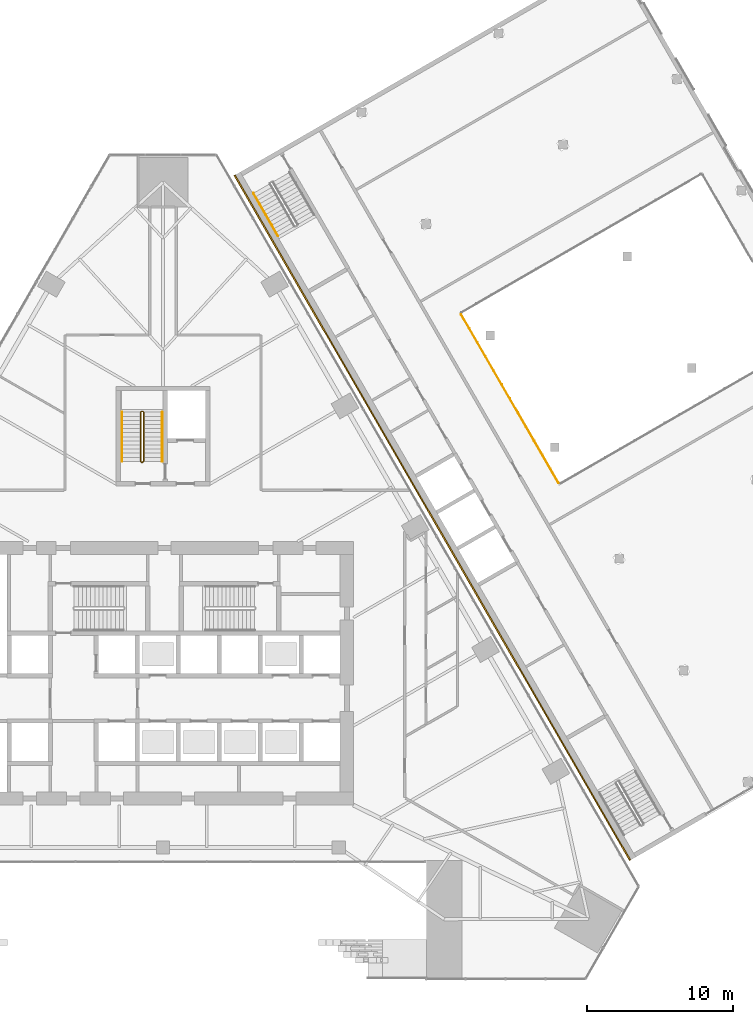
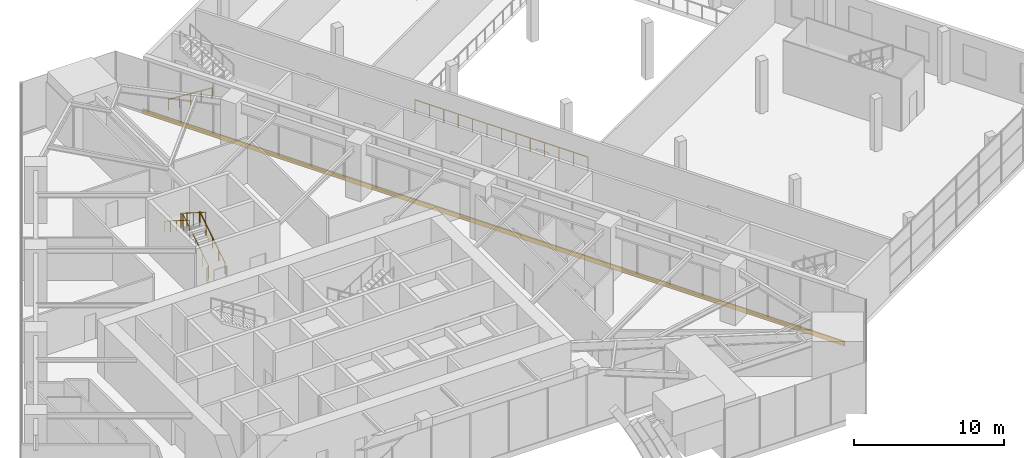
# One storey, part 25 of 30: 5 railings, 1 covering.
"""IFC4 building model written with IfcOpenShell, lengths in metres."""

from ifc_helpers import new_model, si_unit, direction, frame, origin, origin_2d, place, context, subcontext, project, spatial, rectangle, circle, extrude, material, layer, layer_set, type_object, element, save


model = new_model("IFC4")

# Units and contexts
model_context = context("Model", 3, precision=1e-05, world=origin(), true_north=direction((0.0, 1.0)))
body_context = subcontext(model_context, "Body", "Model", "MODEL_VIEW")
ifc_project = project(units=[si_unit("LENGTHUNIT", "METRE"), si_unit("AREAUNIT", "SQUARE_METRE"), si_unit("VOLUMEUNIT", "CUBIC_METRE"), si_unit("PLANEANGLEUNIT", "RADIAN"), si_unit("MASSUNIT", "GRAM", prefix="KILO")], contexts=[model_context])

# Site, building, storey
site_placement = place(None, origin())
site = spatial("IfcSite", under=ifc_project, at=site_placement, CompositionType="ELEMENT")
building_placement = place(site_placement, origin())
building = spatial("IfcBuilding", under=site, at=building_placement, Name="Firuza Gate Tower and Library", CompositionType="ELEMENT")
storey_placement = place(building_placement, frame((0.0, 0.0, 12.60009765625)))
storey = spatial("IfcBuildingStorey", under=building, at=storey_placement, Name="L02", CompositionType="ELEMENT", Elevation=12.60009765625)

# Railings
ifc_material_1 = material(Name="Steel S355", Category="steel")
railing_type_1 = type_object("IfcRailingType", Name="LIB GUARD", PredefinedType="GUARDRAIL", material=ifc_material_1)
railing_1_placement = place(storey_placement, frame((102.005859375, 87.99365234375, 0.0)))
element("IfcRailing", 1, at=railing_1_placement, inside=storey, type_object=railing_type_1, Name="Reading room gallery guard 1", PredefinedType="GUARDRAIL", context=body_context, shape_type="SweptSolid", body=[
    extrude(circle(Radius=0.02392578125, at=origin_2d()), frame((0.0, 0.0, 1.076171875), z_axis=(-0.500002638461, 0.866023880463, 0.0), x_axis=(-0.866023880463, -0.500002638461, 0.0)), (0.0, 0.0, 1.0), 13.30029296875),
    extrude(circle(Radius=0.02099609375, at=origin_2d()), origin(), (0.0, 0.0, 1.0), 1.052001953125),
    extrude(circle(Radius=0.02099609375, at=origin_2d()), frame((-0.55419921875, 0.9599609375, 0.0)), (0.0, 0.0, 1.0), 1.052001953125),
    extrude(circle(Radius=0.02099609375, at=origin_2d()), frame((-1.1083984375, 1.919677734375, 0.0)), (0.0, 0.0, 1.0), 1.052001953125),
    extrude(circle(Radius=0.02099609375, at=origin_2d()), frame((-1.66259765625, 2.879638671875, 0.0)), (0.0, 0.0, 1.0), 1.052001953125),
    extrude(circle(Radius=0.02099609375, at=origin_2d()), frame((-2.216796875, 3.83935546875, 0.0)), (0.0, 0.0, 1.0), 1.052001953125),
    extrude(circle(Radius=0.02099609375, at=origin_2d()), frame((-2.77099609375, 4.79931640625, 0.0)), (0.0, 0.0, 1.0), 1.052001953125),
    extrude(circle(Radius=0.02099609375, at=origin_2d()), frame((-3.3251953125, 5.75927734375, 0.0)), (0.0, 0.0, 1.0), 1.052001953125),
    extrude(circle(Radius=0.02099609375, at=origin_2d()), frame((-3.879150390625, 6.718994140625, 0.0)), (0.0, 0.0, 1.0), 1.052001953125),
    extrude(circle(Radius=0.02099609375, at=origin_2d()), frame((-4.433349609375, 7.678955078125, 0.0)), (0.0, 0.0, 1.0), 1.052001953125),
    extrude(circle(Radius=0.02099609375, at=origin_2d()), frame((-4.987548828125, 8.638671875, 0.0)), (0.0, 0.0, 1.0), 1.052001953125),
    extrude(circle(Radius=0.02099609375, at=origin_2d()), frame((-5.541748046875, 9.5986328125, 0.0)), (0.0, 0.0, 1.0), 1.052001953125),
    extrude(circle(Radius=0.02099609375, at=origin_2d()), frame((-6.095947265625, 10.558349609375, 0.0)), (0.0, 0.0, 1.0), 1.052001953125),
    extrude(circle(Radius=0.02099609375, at=origin_2d()), frame((-6.650146484375, 11.518310546875, 0.0)), (0.0, 0.0, 1.0), 1.052001953125),
])
ifc_material_2 = material(Name="Steel S355", Category="steel")
railing_type_2 = type_object("IfcRailingType", Name="LIB HANDRAIL", PredefinedType="HANDRAIL", material=ifc_material_2)
railing_2_placement = place(storey_placement, frame((81.172607421875, 107.77783203125, 0.1767578125)))
element("IfcRailing", 2, at=railing_2_placement, inside=storey, type_object=railing_type_2, Name="L02 LIB-ST-A stair handrail 1", PredefinedType="HANDRAIL", context=body_context, shape_type="SweptSolid", body=[
    extrude(circle(Radius=0.02392578125, at=origin_2d()), frame((0.0, 0.0, 0.8759765625), z_axis=(0.422722088385, -0.732116328315, 0.534145783289), x_axis=(0.866007717299, 0.500030632641, 0.0)), (0.0, 0.0, 1.0), 3.974609375),
    extrude(circle(Radius=0.02099609375, at=origin_2d()), origin(), (0.0, 0.0, 1.0), 0.851806640625),
    extrude(circle(Radius=0.02099609375, at=origin_2d()), frame((0.419921875, -0.7275390625, 0.53076171875)), (0.0, 0.0, 1.0), 0.851806640625),
    extrude(circle(Radius=0.02099609375, at=origin_2d()), frame((0.840087890625, -1.455078125, 1.0615234375)), (0.0, 0.0, 1.0), 0.851806640625),
    extrude(circle(Radius=0.02099609375, at=origin_2d()), frame((1.26025390625, -2.182373046875, 1.59228515625)), (0.0, 0.0, 1.0), 0.851806640625),
    extrude(circle(Radius=0.02099609375, at=origin_2d()), frame((1.68017578125, -2.909912109375, 2.123046875)), (0.0, 0.0, 1.0), 0.851806640625),
])

# Covering
ifc_material_3 = material(Name="Stainless steel 316", Category="steel")
ifc_layer = layer(ifc_material_3, 0.10009765625)
ifc_layer_set = layer_set([ifc_layer], Name="LIB JOINT COVER")
covering_type = type_object("IfcCoveringType", Name="LIB JOINT COVER", PredefinedType="MOLDING", material=ifc_layer_set)
covering_placement = place(storey_placement, frame((93.3896484375, 85.6171875, -0.3603515625), z_axis=(0.0, 0.0, 1.0), x_axis=(-0.5, 0.866025403784, 0.0)))
element("IfcCovering", 3, at=covering_placement, inside=storey, type_object=covering_type, Name="Movement joint cover L02", PredefinedType="MOLDING", context=body_context, shape_type="SweptSolid", body=[
    extrude(rectangle(XDim=54.0, YDim=0.10009765625, at=origin_2d()), origin(), (0.0, 0.0, 1.0), 0.360107421875),
])

# Railings
ifc_material_4 = material(Name="Steel S355", Category="steel")
railing_type_3 = type_object("IfcRailingType", Name="Stair guard 1100", PredefinedType="GUARDRAIL", material=ifc_material_4)
railing_3_placement = place(storey_placement, frame((73.6298828125, 89.419921875, 0.0)))
element("IfcRailing", 4, at=railing_3_placement, inside=storey, type_object=railing_type_3, Name="L02 ST3 stair guard 1", PredefinedType="GUARDRAIL", context=body_context, shape_type="SweptSolid", body=[
    extrude(circle(Radius=0.02392578125, at=origin_2d()), frame((0.0, 0.0, 1.076171875), z_axis=(-1.0, 0.0, 0.0), x_axis=(0.0, -1.0, 0.0)), (0.0, 0.0, 1.0), 0.099853515625),
    extrude(circle(Radius=0.02392578125, at=origin_2d()), frame((-0.099853515625, 0.0, 1.076171875), z_axis=(0.632218450128, 0.21108270729, 0.745482341844), x_axis=(-0.316691178788, 0.948528701346, 0.0)), (0.0, 0.0, 1.0), 0.237060546875),
    extrude(circle(Radius=0.02392578125, at=origin_2d()), frame((0.050048828125, 0.050048828125, 1.2529296875), z_axis=(0.0, 0.845389635667, 0.534150132366), x_axis=(-1.0, 0.0, 0.0)), (0.0, 0.0, 1.0), 3.974609375),
    extrude(circle(Radius=0.02392578125, at=origin_2d()), frame((0.050048828125, 3.41015625, 3.3759765625), z_axis=(-0.708833529934, 0.705375805398, 0.0), x_axis=(-0.705375805398, -0.708833529934, 0.0)), (0.0, 0.0, 1.0), 0.070556640625),
    extrude(circle(Radius=0.02392578125, at=origin_2d()), frame((0.0, 3.4599609375, 3.3759765625), z_axis=(-1.0, 0.0, 0.0), x_axis=(0.0, -1.0, 0.0)), (0.0, 0.0, 1.0), 0.099853515625),
    extrude(circle(Radius=0.02392578125, at=origin_2d()), frame((-0.099853515625, 3.4599609375, 3.3759765625), z_axis=(-0.262633662168, -0.261352522353, 0.928826366204), x_axis=(0.705375805398, -0.708833529934, 0.0)), (0.0, 0.0, 1.0), 0.190673828125),
    extrude(circle(Radius=0.02392578125, at=origin_2d()), frame((-0.14990234375, 3.41015625, 3.552734375), z_axis=(0.0, -0.845389635667, 0.534150132366), x_axis=(1.0, 0.0, 0.0)), (0.0, 0.0, 1.0), 3.974609375),
    extrude(circle(Radius=0.02099609375, at=origin_2d()), origin(), (0.0, 0.0, 1.0), 1.052001953125),
    extrude(circle(Radius=0.02099609375, at=origin_2d()), frame((-0.099853515625, 0.0, 0.0)), (0.0, 0.0, 1.0), 1.052001953125),
    extrude(circle(Radius=0.02099609375, at=origin_2d()), frame((0.050048828125, 0.050048828125, 0.1767578125)), (0.0, 0.0, 1.0), 1.052001953125),
    extrude(circle(Radius=0.02099609375, at=origin_2d()), frame((0.050048828125, 0.89013671875, 0.70751953125)), (0.0, 0.0, 1.0), 1.052001953125),
    extrude(circle(Radius=0.02099609375, at=origin_2d()), frame((0.050048828125, 1.72998046875, 1.23828125)), (0.0, 0.0, 1.0), 1.052001953125),
    extrude(circle(Radius=0.02099609375, at=origin_2d()), frame((0.050048828125, 2.570068359375, 1.76904296875)), (0.0, 0.0, 1.0), 1.052001953125),
    extrude(circle(Radius=0.02099609375, at=origin_2d()), frame((0.050048828125, 3.41015625, 2.2998046875)), (0.0, 0.0, 1.0), 1.052001953125),
    extrude(circle(Radius=0.02099609375, at=origin_2d()), frame((0.0, 3.4599609375, 2.2998046875)), (0.0, 0.0, 1.0), 1.052001953125),
    extrude(circle(Radius=0.02099609375, at=origin_2d()), frame((-0.099853515625, 3.4599609375, 2.2998046875)), (0.0, 0.0, 1.0), 1.052001953125),
    extrude(circle(Radius=0.02099609375, at=origin_2d()), frame((-0.14990234375, 3.41015625, 2.476806640625)), (0.0, 0.0, 1.0), 1.052001953125),
    extrude(circle(Radius=0.02099609375, at=origin_2d()), frame((-0.14990234375, 2.570068359375, 3.007568359375)), (0.0, 0.0, 1.0), 1.052001953125),
    extrude(circle(Radius=0.02099609375, at=origin_2d()), frame((-0.14990234375, 1.72998046875, 3.538330078125)), (0.0, 0.0, 1.0), 1.052001953125),
    extrude(circle(Radius=0.02099609375, at=origin_2d()), frame((-0.14990234375, 0.89013671875, 4.069091796875)), (0.0, 0.0, 1.0), 1.052001953125),
    extrude(circle(Radius=0.02099609375, at=origin_2d()), frame((-0.14990234375, 0.050048828125, 4.599853515625)), (0.0, 0.0, 1.0), 1.052001953125),
])
ifc_material_5 = material(Name="Steel S355", Category="steel")
railing_type_4 = type_object("IfcRailingType", Name="Stair handrail 900", PredefinedType="HANDRAIL", material=ifc_material_5)
railing_4_placement = place(storey_placement, frame((74.949951171875, 89.469970703125, 0.1767578125)))
element("IfcRailing", 5, at=railing_4_placement, inside=storey, type_object=railing_type_4, Name="L02 ST3 stair handrail 1", PredefinedType="HANDRAIL", context=body_context, shape_type="SweptSolid", body=[
    extrude(circle(Radius=0.02392578125, at=origin_2d()), frame((0.0, 0.0, 0.8759765625), z_axis=(0.0, 0.845389635667, 0.534150132366), x_axis=(-1.0, 0.0, 0.0)), (0.0, 0.0, 1.0), 3.974609375),
    extrude(circle(Radius=0.02099609375, at=origin_2d()), origin(), (0.0, 0.0, 1.0), 0.851806640625),
    extrude(circle(Radius=0.02099609375, at=origin_2d()), frame((0.0, 0.840087890625, 0.53076171875)), (0.0, 0.0, 1.0), 0.851806640625),
    extrude(circle(Radius=0.02099609375, at=origin_2d()), frame((0.0, 1.68017578125, 1.0615234375)), (0.0, 0.0, 1.0), 0.851806640625),
    extrude(circle(Radius=0.02099609375, at=origin_2d()), frame((0.0, 2.52001953125, 1.59228515625)), (0.0, 0.0, 1.0), 0.851806640625),
    extrude(circle(Radius=0.02099609375, at=origin_2d()), frame((0.0, 3.360107421875, 2.123046875)), (0.0, 0.0, 1.0), 0.851806640625),
])
railing_5_placement = place(storey_placement, frame((72.2099609375, 92.830078125, 2.476806640625)))
element("IfcRailing", 6, at=railing_5_placement, inside=storey, type_object=railing_type_4, Name="L02 ST3 stair handrail 2", PredefinedType="HANDRAIL", context=body_context, shape_type="SweptSolid", body=[
    extrude(circle(Radius=0.02392578125, at=origin_2d()), frame((0.0, 0.0, 0.8759765625), z_axis=(0.0, -0.845389635667, 0.534150132366), x_axis=(1.0, 0.0, 0.0)), (0.0, 0.0, 1.0), 3.974609375),
    extrude(circle(Radius=0.02099609375, at=origin_2d()), origin(), (0.0, 0.0, 1.0), 0.851806640625),
    extrude(circle(Radius=0.02099609375, at=origin_2d()), frame((0.0, -0.840087890625, 0.53076171875)), (0.0, 0.0, 1.0), 0.851806640625),
    extrude(circle(Radius=0.02099609375, at=origin_2d()), frame((0.0, -1.68017578125, 1.0615234375)), (0.0, 0.0, 1.0), 0.851806640625),
    extrude(circle(Radius=0.02099609375, at=origin_2d()), frame((0.0, -2.52001953125, 1.59228515625)), (0.0, 0.0, 1.0), 0.851806640625),
    extrude(circle(Radius=0.02099609375, at=origin_2d()), frame((0.0, -3.360107421875, 2.123046875)), (0.0, 0.0, 1.0), 0.851806640625),
])

save(model, "model.ifc")
